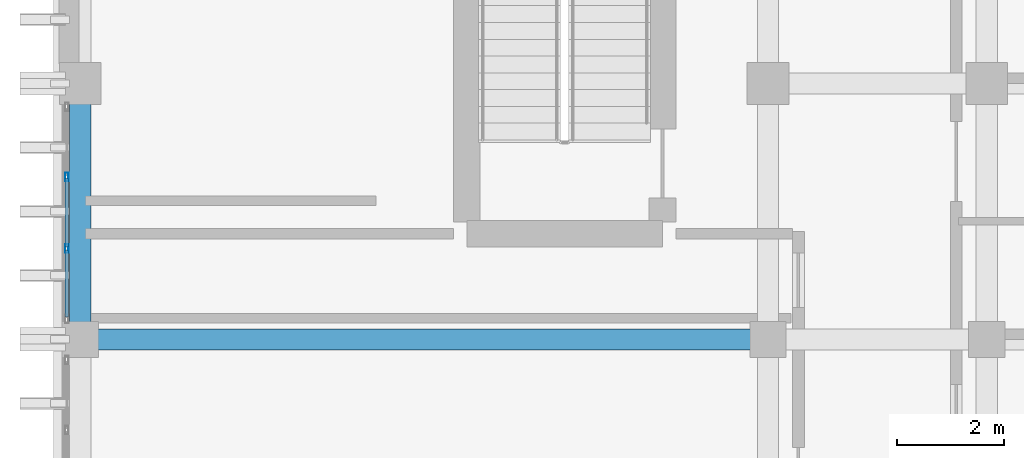
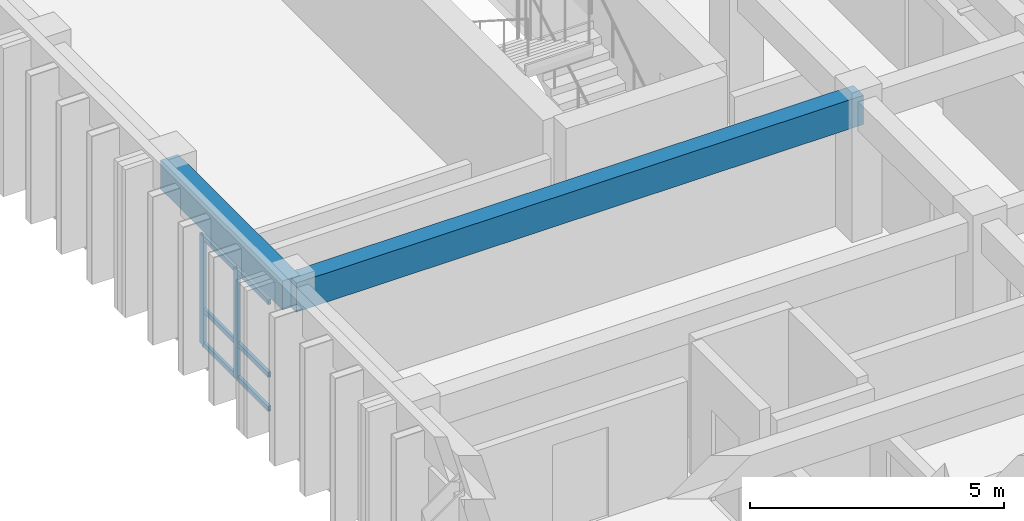
# One storey, part 37 of 68: 8 members, 2 beams, 1 element without a shape of its own.
"""IFC4 building model written with IfcOpenShell, lengths in metres."""

from ifc_helpers import new_model, si_unit, direction, frame, origin, origin_2d, place, context, subcontext, project, spatial, rectangle, hollow_rectangle, extrude, material, layer, layer_set, material_profile, profile_set, type_object, element, aggregate, save


model = new_model("IFC4")

# Units and contexts
model_context = context("Model", 3, precision=1e-05, world=origin(), true_north=direction((0.0, 1.0)))
body_context = subcontext(model_context, "Body", "Model", "MODEL_VIEW")
ifc_project = project(units=[si_unit("LENGTHUNIT", "METRE"), si_unit("AREAUNIT", "SQUARE_METRE"), si_unit("VOLUMEUNIT", "CUBIC_METRE"), si_unit("PLANEANGLEUNIT", "RADIAN"), si_unit("MASSUNIT", "GRAM", prefix="KILO")], contexts=[model_context])

# Site, building, storey
site_placement = place(None, origin())
site = spatial("IfcSite", under=ifc_project, at=site_placement, CompositionType="ELEMENT")
building_placement = place(site_placement, origin())
building = spatial("IfcBuilding", under=site, at=building_placement, Name="Nakhvara Creek Congress Hotel", CompositionType="ELEMENT")
storey_placement = place(building_placement, frame((0.0, 0.0, 24.60009765625)))
storey = spatial("IfcBuildingStorey", under=building, at=storey_placement, Name="L05", CompositionType="ELEMENT", Elevation=24.60009765625)

# Beams
ifc_material_1 = material(Name="Concrete C40/50", Category="concrete")
ifc_material_profile_1 = material_profile(ifc_material_1, rectangle(XDim=0.39990234375, YDim=0.699951171875, at=origin_2d()), Name="RC-BM 400x700", Category="LoadBearing")
ifc_profile_set_1 = profile_set([ifc_material_profile_1], Name="Concrete C40/50")
beam_type = type_object("IfcBeamType", Name="BM-RC-400X700", PredefinedType="BEAM", material=ifc_profile_set_1)
beam_1_placement = place(storey_placement, frame((149.449951171875, 100.800048828125, 2.989990234375), z_axis=(0.0, 1.0, 0.0), x_axis=(-1.0, 0.0, 0.0)))
element("IfcBeam", 1, at=beam_1_placement, inside=storey, type_object=beam_type, Name="Beam B05-L05-2080", PredefinedType="BEAM", context=body_context, shape_type="SweptSolid", body=[
    extrude(rectangle(XDim=0.39990234375, YDim=0.699951171875, at=origin_2d()), origin(), (0.0, 0.0, 1.0), 4.800048828125),
])
beam_2_placement = place(storey_placement, frame((149.449951171875, 100.800048828125, 2.989990234375), z_axis=(1.0, 0.0, 0.0), x_axis=(0.0, 1.0, 0.0)))
element("IfcBeam", 2, at=beam_2_placement, inside=storey, type_object=beam_type, Name="Beam B05-L05-2173", PredefinedType="BEAM", context=body_context, shape_type="SweptSolid", body=[
    extrude(rectangle(XDim=0.39990234375, YDim=0.699951171875, at=origin_2d()), origin(), (0.0, 0.0, 1.0), 12.900146484375),
])

# Curtain wall, members
ifc_material_2 = material(Name="Bronze-anodised aluminium AW-6063-T6 and double-silver low-E glass", Category="aluminium")
ifc_layer = layer(ifc_material_2, 0.199951171875)
ifc_layer_set = layer_set([ifc_layer], Name="Bronze-anodised aluminium AW-6063-T6 and double-silver low-E glass")
curtain_wall_type = type_object("IfcCurtainWallType", Name="CW-HTL-UNIT", PredefinedType="USERDEFINED", material=ifc_layer_set)
curtain_wall_placement = place(storey_placement, origin())
curtain_wall = element("IfcCurtainWall", 3, at=curtain_wall_placement, inside=storey, type_object=curtain_wall_type, Name="Curtain Wall CW223", ObjectType="UNITISED", PredefinedType="USERDEFINED")
ifc_material_3 = material(Name="Bronze-anodised aluminium AW-6063-T6", Category="aluminium")
ifc_material_profile_2 = material_profile(ifc_material_3, hollow_rectangle(XDim=0.06494140625, YDim=0.159912109375, WallThickness=0.00390625, at=origin_2d()), Name="ALU-MULL 65x160x4", Category="LoadBearing")
ifc_profile_set_2 = profile_set([ifc_material_profile_2], Name="Bronze-anodised aluminium AW-6063-T6")
member_type_1 = type_object("IfcMemberType", Name="CW-MULL-160", PredefinedType="MULLION", material=ifc_profile_set_2)
member_1_placement = place(storey_placement, frame((149.199951171875, 102.501708984375, 0.0), z_axis=(0.0, 0.0, 1.0), x_axis=(-1.0, 0.0, 0.0)))
member_1 = element("IfcMember", 4, at=member_1_placement, type_object=member_type_1, Name="CW223 mullion 2", PredefinedType="MULLION", context=body_context, shape_type="SweptSolid", body=[
    extrude(hollow_rectangle(XDim=0.06494140625, YDim=0.159912109375, WallThickness=0.00390625, at=origin_2d()), origin(), (0.0, 0.0, 1.0), 2.6318359375),
])
member_2_placement = place(storey_placement, frame((149.199951171875, 103.848388671875, 0.0), z_axis=(0.0, 0.0, 1.0), x_axis=(-1.0, 0.0, 0.0)))
member_2 = element("IfcMember", 5, at=member_2_placement, type_object=member_type_1, Name="CW223 mullion 3", PredefinedType="MULLION", context=body_context, shape_type="SweptSolid", body=[
    extrude(hollow_rectangle(XDim=0.06494140625, YDim=0.159912109375, WallThickness=0.00390625, at=origin_2d()), origin(), (0.0, 0.0, 1.0), 2.6318359375),
])
ifc_material_profile_3 = material_profile(ifc_material_3, hollow_rectangle(XDim=0.06494140625, YDim=0.1201171875, WallThickness=0.00390625, at=origin_2d()), Name="ALU-TRAN 65x120x4", Category="LoadBearing")
ifc_profile_set_3 = profile_set([ifc_material_profile_3], Name="Bronze-anodised aluminium AW-6063-T6")
member_type_2 = type_object("IfcMemberType", Name="CW-TRAN-120", PredefinedType="USERDEFINED", material=ifc_profile_set_3)
member_3_placement = place(storey_placement, frame((149.199951171875, 101.219970703125, 0.032470703125), z_axis=(0.0, 1.0, 0.0), x_axis=(-1.0, 0.0, 0.0)))
member_3 = element("IfcMember", 6, at=member_3_placement, type_object=member_type_2, Name="CW223 transom 1.1", ObjectType="TRANSOM", PredefinedType="USERDEFINED", context=body_context, shape_type="SweptSolid", body=[
    extrude(hollow_rectangle(XDim=0.06494140625, YDim=0.1201171875, WallThickness=0.00390625, at=origin_2d()), origin(), (0.0, 0.0, 1.0), 1.249267578125),
])
member_4_placement = place(storey_placement, frame((149.199951171875, 101.219970703125, 0.849853515625), z_axis=(0.0, 1.0, 0.0), x_axis=(-1.0, 0.0, 0.0)))
member_4 = element("IfcMember", 7, at=member_4_placement, type_object=member_type_2, Name="CW223 transom 1.2", ObjectType="TRANSOM", PredefinedType="USERDEFINED", context=body_context, shape_type="SweptSolid", body=[
    extrude(hollow_rectangle(XDim=0.06494140625, YDim=0.1201171875, WallThickness=0.00390625, at=origin_2d()), origin(), (0.0, 0.0, 1.0), 1.249267578125),
])
member_5_placement = place(storey_placement, frame((149.199951171875, 101.219970703125, 2.599365234375), z_axis=(0.0, 1.0, 0.0), x_axis=(-1.0, 0.0, 0.0)))
member_5 = element("IfcMember", 8, at=member_5_placement, type_object=member_type_2, Name="CW223 transom 1.3", ObjectType="TRANSOM", PredefinedType="USERDEFINED", context=body_context, shape_type="SweptSolid", body=[
    extrude(hollow_rectangle(XDim=0.06494140625, YDim=0.1201171875, WallThickness=0.00390625, at=origin_2d()), origin(), (0.0, 0.0, 1.0), 1.249267578125),
])
member_6_placement = place(storey_placement, frame((149.199951171875, 102.5341796875, 0.032470703125), z_axis=(0.0, 1.0, 0.0), x_axis=(-1.0, 0.0, 0.0)))
member_6 = element("IfcMember", 9, at=member_6_placement, type_object=member_type_2, Name="CW223 transom 2.1", ObjectType="TRANSOM", PredefinedType="USERDEFINED", context=body_context, shape_type="SweptSolid", body=[
    extrude(hollow_rectangle(XDim=0.06494140625, YDim=0.1201171875, WallThickness=0.00390625, at=origin_2d()), origin(), (0.0, 0.0, 1.0), 1.28173828125),
])
member_7_placement = place(storey_placement, frame((149.199951171875, 102.5341796875, 0.849853515625), z_axis=(0.0, 1.0, 0.0), x_axis=(-1.0, 0.0, 0.0)))
member_7 = element("IfcMember", 10, at=member_7_placement, type_object=member_type_2, Name="CW223 transom 2.2", ObjectType="TRANSOM", PredefinedType="USERDEFINED", context=body_context, shape_type="SweptSolid", body=[
    extrude(hollow_rectangle(XDim=0.06494140625, YDim=0.1201171875, WallThickness=0.00390625, at=origin_2d()), origin(), (0.0, 0.0, 1.0), 1.28173828125),
])
member_8_placement = place(storey_placement, frame((149.199951171875, 102.5341796875, 2.599365234375), z_axis=(0.0, 1.0, 0.0), x_axis=(-1.0, 0.0, 0.0)))
member_8 = element("IfcMember", 11, at=member_8_placement, type_object=member_type_2, Name="CW223 transom 2.3", ObjectType="TRANSOM", PredefinedType="USERDEFINED", context=body_context, shape_type="SweptSolid", body=[
    extrude(hollow_rectangle(XDim=0.06494140625, YDim=0.1201171875, WallThickness=0.00390625, at=origin_2d()), origin(), (0.0, 0.0, 1.0), 1.28173828125),
])
aggregate(curtain_wall, [member_1, member_2, member_3, member_4, member_5, member_6, member_7, member_8])

save(model, "model.ifc")
